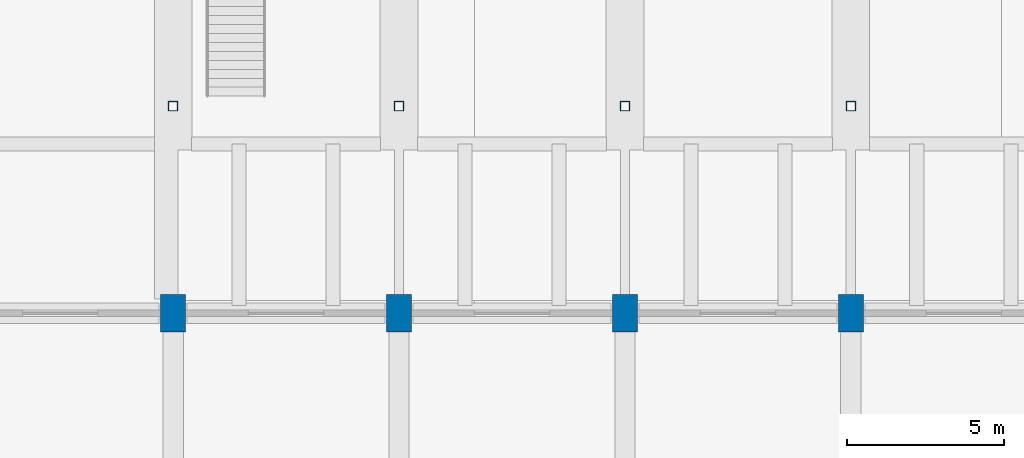
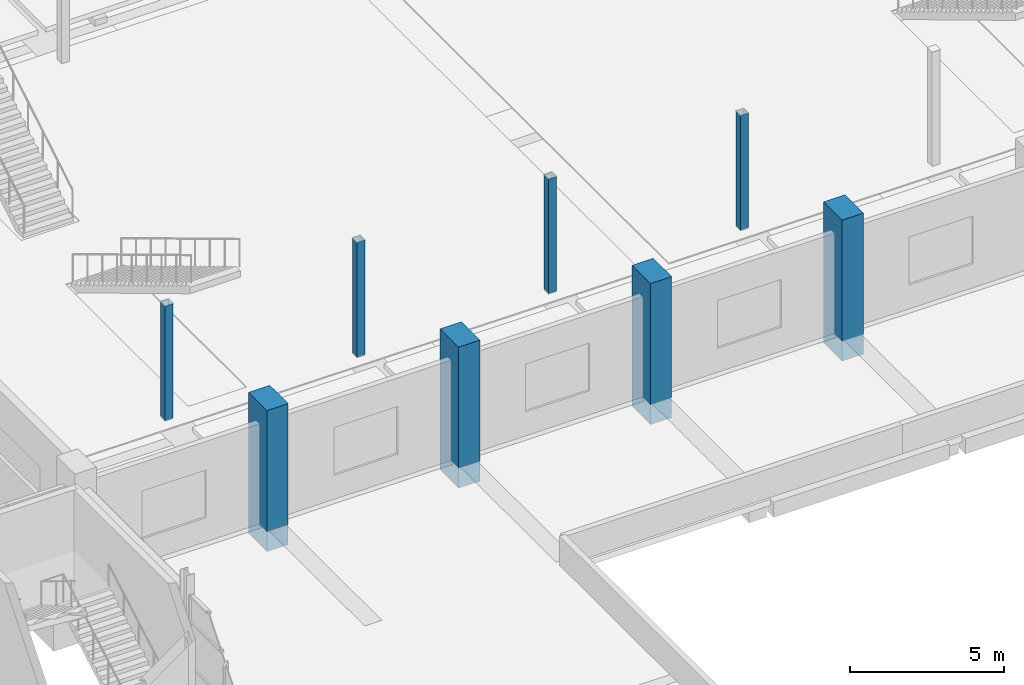
# One storey, part 8 of 82: 8 columns.
"""IFC4 building model written with IfcOpenShell, lengths in metres."""

from ifc_helpers import new_model, si_unit, direction, frame, origin, origin_2d, place, context, subcontext, project, spatial, rectangle, hollow_rectangle, extrude, material, material_profile, profile_set, type_object, element, save


model = new_model("IFC4")

# Units and contexts
model_context = context("Model", 3, precision=1e-05, world=origin(), true_north=direction((0.0, 1.0)))
body_context = subcontext(model_context, "Body", "Model", "MODEL_VIEW")
ifc_project = project(units=[si_unit("LENGTHUNIT", "METRE"), si_unit("AREAUNIT", "SQUARE_METRE"), si_unit("VOLUMEUNIT", "CUBIC_METRE"), si_unit("PLANEANGLEUNIT", "RADIAN"), si_unit("MASSUNIT", "GRAM", prefix="KILO")], contexts=[model_context])

# Site, building, storey
site_placement = place(None, origin())
site = spatial("IfcSite", under=ifc_project, at=site_placement, CompositionType="ELEMENT")
building_placement = place(site_placement, origin())
building = spatial("IfcBuilding", under=site, at=building_placement, Name="Sardonyx Promenade Sports Hall", CompositionType="ELEMENT")
storey_placement = place(building_placement, frame((0.0, 0.0, 11.199951171875)))
storey = spatial("IfcBuildingStorey", under=building, at=storey_placement, Name="L02", CompositionType="ELEMENT", Elevation=11.199951171875)

# Columns
ifc_material_1 = material(Name="Concrete C50/60", Category="concrete")
ifc_material_profile_1 = material_profile(ifc_material_1, rectangle(XDim=0.800048828125, YDim=1.199951171875, at=origin_2d()))
ifc_profile_set_1 = profile_set([ifc_material_profile_1], Name="Concrete C50/60")
column_type_1 = type_object("IfcColumnType", Name="Col_Ext_RC800x1200", PredefinedType="COLUMN", material=ifc_profile_set_1)
for number, where, z_axis, x_axis, name in (
    (1, (36.0, 72.0, -0.800048828125), (0.0, 0.0, 1.0), (1.0, 0.0, 0.0), "Column CE08 L02 (36.0,72.0)"),
    (2, (43.199951171875, 72.0, -0.800048828125), (0.0, 0.0, 1.0), (1.0, 0.0, 0.0), "Column CE08 L02 (43.2,72.0)"),
    (3, (50.39990234375, 72.0, -0.800048828125), (0.0, 0.0, 1.0), (1.0, 0.0, 0.0), "Column CE08 L02 (50.4,72.0)"),
    (4, (57.60009765625, 72.0, -0.800048828125), (0.0, 0.0, 1.0), (1.0, 0.0, 0.0), "Column CE08 L02 (57.6,72.0)"),
):
    element("IfcColumn", number, at=place(storey_placement, frame(where, z_axis=z_axis, x_axis=x_axis)), inside=storey, type_object=column_type_1, Name=name, PredefinedType="COLUMN", context=body_context, shape_type="SweptSolid", body=[
        extrude(rectangle(XDim=0.800048828125, YDim=1.199951171875, at=origin_2d()), origin(), (0.0, 0.0, 1.0), 5.60009765625),
    ])
ifc_material_2 = material(Name="Steel S355JR", Category="steel")
ifc_material_profile_2 = material_profile(ifc_material_2, hollow_rectangle(XDim=0.300048828125, YDim=0.300048828125, WallThickness=0.012451171875, at=origin_2d()))
ifc_profile_set_2 = profile_set([ifc_material_profile_2], Name="Steel S355JR")
column_type_2 = type_object("IfcColumnType", Name="Col_Int_SHS300", PredefinedType="COLUMN", material=ifc_profile_set_2)
for number, where, z_axis, x_axis, name in (
    (5, (36.0, 78.60009765625, 0.0), (0.0, 0.0, 1.0), (1.0, 0.0, 0.0), "Upper-bowl transfer post 6S"),
    (6, (43.199951171875, 78.60009765625, 0.0), (0.0, 0.0, 1.0), (1.0, 0.0, 0.0), "Upper-bowl transfer post 7S"),
    (7, (50.39990234375, 78.60009765625, 0.0), (0.0, 0.0, 1.0), (1.0, 0.0, 0.0), "Upper-bowl transfer post 8S"),
    (8, (57.60009765625, 78.60009765625, 0.0), (0.0, 0.0, 1.0), (1.0, 0.0, 0.0), "Upper-bowl transfer post 9S"),
):
    element("IfcColumn", number, at=place(storey_placement, frame(where, z_axis=z_axis, x_axis=x_axis)), inside=storey, type_object=column_type_2, Name=name, PredefinedType="COLUMN", context=body_context, shape_type="SweptSolid", body=[
        extrude(hollow_rectangle(XDim=0.300048828125, YDim=0.300048828125, WallThickness=0.012451171875, at=origin_2d()), origin(), (0.0, 0.0, 1.0), 4.580078125),
    ])

save(model, "model.ifc")
